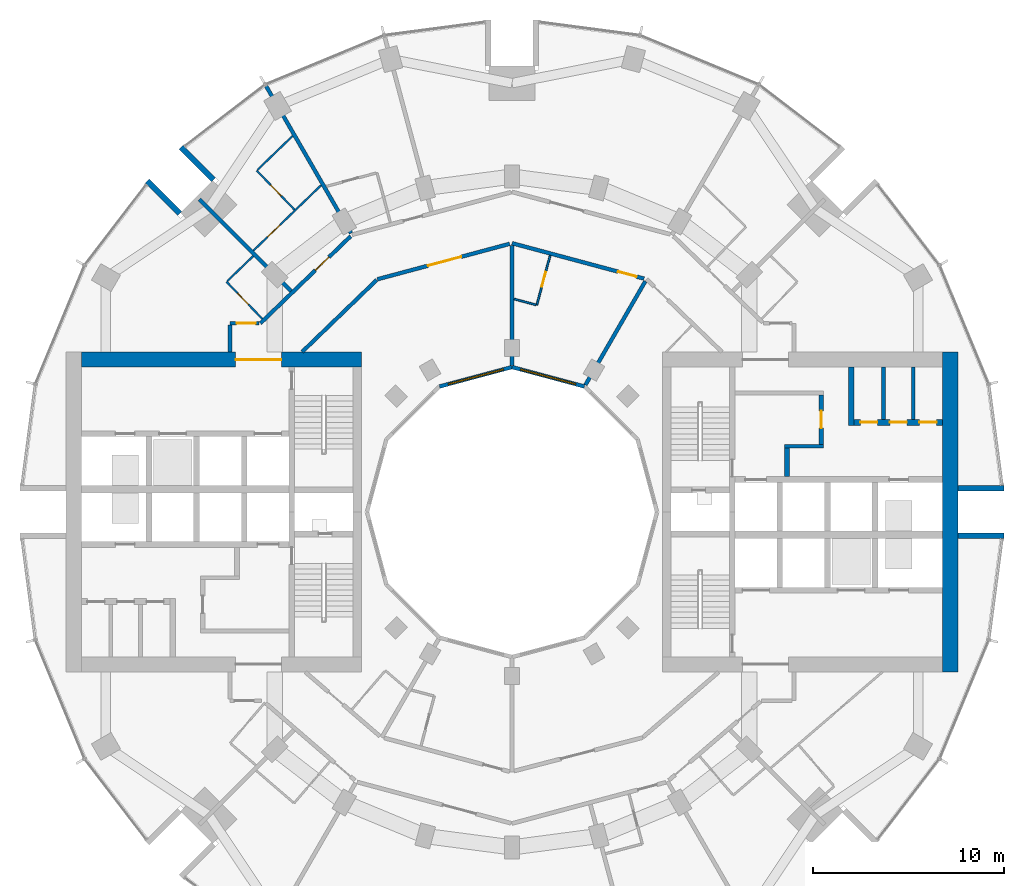
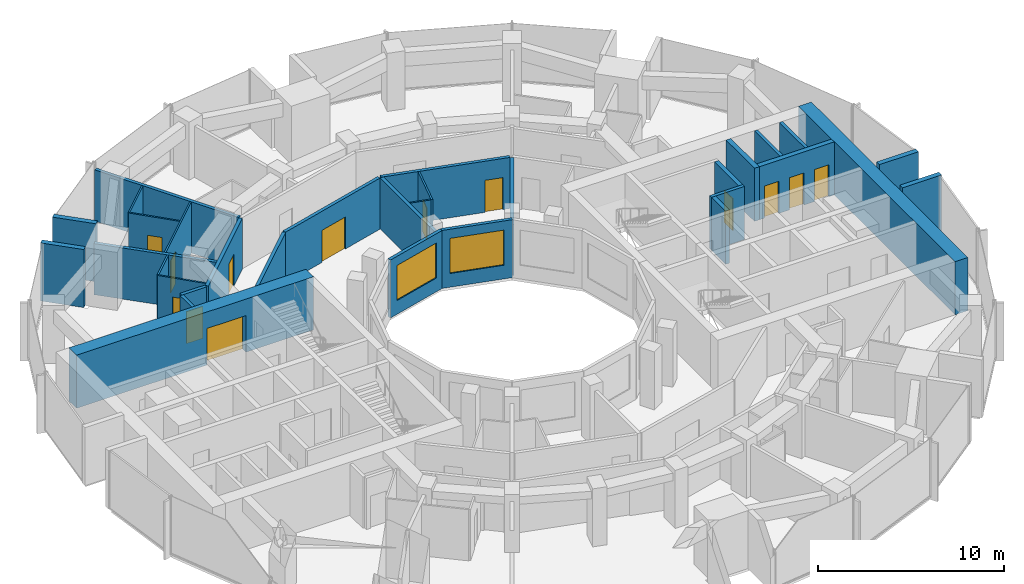
# One storey, part 11 of 15: 32 walls, 13 doors, 2 windows, 15 openings.
"""IFC4 building model written with IfcOpenShell, lengths in metres."""

from ifc_helpers import new_model, si_unit, direction, frame, frame_2d, origin, place, context, subcontext, project, spatial, rectangle, extrude, material, layer, layer_set, type_object, element, fill, save


model = new_model("IFC4")

# Units and contexts
model_context = context("Model", 3, precision=1e-05, world=origin(), true_north=direction((0.0, 1.0)))
body_context = subcontext(model_context, "Body", "Model", "MODEL_VIEW")
ifc_project = project(units=[si_unit("LENGTHUNIT", "METRE"), si_unit("AREAUNIT", "SQUARE_METRE"), si_unit("VOLUMEUNIT", "CUBIC_METRE"), si_unit("PLANEANGLEUNIT", "RADIAN"), si_unit("MASSUNIT", "GRAM", prefix="KILO")], contexts=[model_context])

# Site, building, storey
site_placement = place(None, origin())
site = spatial("IfcSite", under=ifc_project, at=site_placement, CompositionType="ELEMENT")
building_placement = place(site_placement, origin())
building = spatial("IfcBuilding", under=site, at=building_placement, Name="Torre Brocal", CompositionType="ELEMENT")
storey_placement = place(building_placement, frame((0.0, 0.0, 101.39990234375)))
storey = spatial("IfcBuildingStorey", under=building, at=storey_placement, Name="L23", CompositionType="ELEMENT", Elevation=101.39990234375)

# Walls
ifc_material_1 = material(Name="Masonry block", Category="masonry")
ifc_layer_1 = layer(ifc_material_1, 0.199951171875)
ifc_layer_set_1 = layer_set([ifc_layer_1], Name="Masonry block")
wall_type_1 = type_object("IfcWallType", Name="CORE PARTITION 200", PredefinedType="PARTITIONING", material=ifc_layer_set_1)
for number, where, z_axis, x_axis, name in (
    (1, (99.5, 79.85009765625, 0.0), (0.0, 0.0, 1.0), (0.0, 1.0, 0.0), "Wall CP200"),
    (2, (101.050048828125, 79.85009765625, 0.0), (0.0, 0.0, 1.0), (0.0, 1.0, 0.0), "Wall CP200"),
):
    element("IfcWall", number, at=place(storey_placement, frame(where, z_axis=z_axis, x_axis=x_axis)), inside=storey, type_object=wall_type_1, Name=name, PredefinedType="PARTITIONING", context=body_context, shape_type="SweptSolid", body=[
        extrude(rectangle(XDim=2.75, YDim=0.199951171875, at=frame_2d((1.375, 0.0))), origin(), (0.0, 0.0, 1.0), 3.47998046875),
    ])
ifc_material_2 = material(Name="Concrete C80", Category="concrete")
ifc_layer_2 = layer(ifc_material_2, 0.199951171875)
ifc_layer_set_2 = layer_set([ifc_layer_2], Name="Concrete C80")
wall_type_2 = type_object("IfcWallType", Name="CORE WALL 200 C80", PredefinedType="SHEAR", material=ifc_layer_set_2)
wall_1_placement = place(storey_placement, frame((94.300048828125, 78.449951171875, 0.0), z_axis=(0.0, 0.0, 1.0), x_axis=(1.0, 0.0, 0.0)))
element("IfcWall", 3, at=wall_1_placement, inside=storey, type_object=wall_type_2, Name="Wall CW200-80", PredefinedType="SHEAR", context=body_context, shape_type="SweptSolid", body=[
    extrude(rectangle(XDim=2.050048828125, YDim=0.199951171875, at=frame_2d((1.02490234375, 0.0))), origin(), (0.0, 0.0, 1.0), 3.47998046875),
])

# Wall, opening, door
ifc_material_3 = material(Name="Concrete C80", Category="concrete")
ifc_layer_3 = layer(ifc_material_3, 0.25)
ifc_layer_set_3 = layer_set([ifc_layer_3], Name="Concrete C80")
wall_type_3 = type_object("IfcWallType", Name="CORE WALL 250 C80", PredefinedType="SHEAR", material=ifc_layer_set_3)
wall_2_placement = place(storey_placement, frame((96.22509765625, 78.550048828125, 0.0), z_axis=(0.0, 0.0, 1.0), x_axis=(0.0, 1.0, 0.0)))
wall_2 = element("IfcWall", 4, at=wall_2_placement, inside=storey, type_object=wall_type_3, Name="Wall CW250-80", PredefinedType="SHEAR", context=body_context, shape_type="SweptSolid", body=[
    extrude(rectangle(XDim=2.599853515625, YDim=0.25, at=frame_2d((1.2998046875, 0.0))), origin(), (0.0, 0.0, 1.0), 3.47998046875),
])
opening_1_placement = place(wall_2_placement, frame((0.85009765625, 0.0, 0.0)))
opening_1 = element("IfcOpeningElement", 5, at=opening_1_placement, cuts=wall_2, Name="Opening E-D15", PredefinedType="OPENING", context=body_context, shape_type="SweptSolid", body=[
    extrude(rectangle(XDim=0.89990234375, YDim=2.10009765625, at=frame_2d((0.449951171875, 1.050048828125))), frame((0.0, 0.135009765625, 0.0), z_axis=(0.0, -1.0, 0.0), x_axis=(1.0, 0.0, 0.0)), (0.0, 0.0, 1.0), 0.27001953125),
])
ifc_material_4 = material(Name="Steel A653", Category="steel")
door_type_1 = type_object("IfcDoorType", Name="LOBBY DOOR FD120 900X2100", OperationType="SINGLE_SWING_RIGHT", PredefinedType="DOOR", material=ifc_material_4)
door_1_placement = place(opening_1_placement, origin())
door_1 = element("IfcDoor", 6, at=door_1_placement, inside=storey, type_object=door_type_1, Name="Door E-D15", OperationType="SINGLE_SWING_LEFT", OverallHeight=2.10009765625, OverallWidth=0.89990234375, PredefinedType="DOOR", context=body_context, shape_type="SweptSolid", body=[
    extrude(rectangle(XDim=0.89990234375, YDim=2.10009765625, at=frame_2d((0.449951171875, 1.050048828125))), frame((0.0, 0.02490234375, 0.0), z_axis=(0.0, -1.0, 0.0), x_axis=(1.0, 0.0, 0.0)), (0.0, 0.0, 1.0), 0.050048828125),
])
fill(opening_1, door_1)

# Walls
wall_3_placement = place(storey_placement, frame((94.425048828125, 76.85009765625, 0.0), z_axis=(0.0, 0.0, 1.0), x_axis=(0.0, 1.0, 0.0)))
element("IfcWall", 7, at=wall_3_placement, inside=storey, type_object=wall_type_3, Name="Wall CW250-80", PredefinedType="SHEAR", context=body_context, shape_type="SweptSolid", body=[
    extrude(rectangle(XDim=1.5, YDim=0.25, at=frame_2d((0.75, 0.0))), origin(), (0.0, 0.0, 1.0), 3.47998046875),
])
ifc_material_5 = material(Name="Concrete C80", Category="concrete")
ifc_layer_4 = layer(ifc_material_5, 0.300048828125)
ifc_layer_set_4 = layer_set([ifc_layer_4], Name="Concrete C80")
wall_type_4 = type_object("IfcWallType", Name="CORE WALL 300 C80", PredefinedType="SHEAR", material=ifc_layer_set_4)
wall_4_placement = place(storey_placement, frame((97.800048828125, 79.550048828125, 0.0), z_axis=(0.0, 0.0, 1.0), x_axis=(0.0, 1.0, 0.0)))
element("IfcWall", 8, at=wall_4_placement, inside=storey, type_object=wall_type_4, Name="Wall CW300-80", PredefinedType="SHEAR", context=body_context, shape_type="SweptSolid", body=[
    extrude(rectangle(XDim=3.050048828125, YDim=0.300048828125, at=frame_2d((1.52490234375, 0.0))), origin(), (0.0, 0.0, 1.0), 3.47998046875),
])

# Wall, openings, doors
wall_5_placement = place(storey_placement, frame((97.949951171875, 79.699951171875, 0.0), z_axis=(0.0, 0.0, 1.0), x_axis=(1.0, 0.0, 0.0)))
wall_5 = element("IfcWall", 9, at=wall_5_placement, inside=storey, type_object=wall_type_4, Name="Wall CW300-80", PredefinedType="SHEAR", context=body_context, shape_type="SweptSolid", body=[
    extrude(rectangle(XDim=4.650146484375, YDim=0.300048828125, at=frame_2d((2.3251953125, 0.0))), origin(), (0.0, 0.0, 1.0), 3.47998046875),
])
opening_2_placement = place(wall_5_placement, frame((0.324951171875, 0.0, 0.0)))
opening_2 = element("IfcOpeningElement", 10, at=opening_2_placement, cuts=wall_5, Name="Opening E-D05", PredefinedType="OPENING", context=body_context, shape_type="SweptSolid", body=[
    extrude(rectangle(XDim=0.89990234375, YDim=2.10009765625, at=frame_2d((0.449951171875, 1.050048828125))), frame((0.0, 0.159912109375, 0.0), z_axis=(0.0, -1.0, 0.0), x_axis=(1.0, 0.0, 0.0)), (0.0, 0.0, 1.0), 0.320068359375),
])
opening_3_placement = place(wall_5_placement, frame((1.875, 0.0, 0.0)))
opening_3 = element("IfcOpeningElement", 11, at=opening_3_placement, cuts=wall_5, Name="Opening E-D06", PredefinedType="OPENING", context=body_context, shape_type="SweptSolid", body=[
    extrude(rectangle(XDim=0.89990234375, YDim=2.10009765625, at=frame_2d((0.449951171875, 1.050048828125))), frame((0.0, 0.159912109375, 0.0), z_axis=(0.0, -1.0, 0.0), x_axis=(1.0, 0.0, 0.0)), (0.0, 0.0, 1.0), 0.320068359375),
])
opening_4_placement = place(wall_5_placement, frame((3.425048828125, 0.0, 0.0)))
opening_4 = element("IfcOpeningElement", 12, at=opening_4_placement, cuts=wall_5, Name="Opening E-D07", PredefinedType="OPENING", context=body_context, shape_type="SweptSolid", body=[
    extrude(rectangle(XDim=0.89990234375, YDim=2.10009765625, at=frame_2d((0.449951171875, 1.050048828125))), frame((0.0, 0.159912109375, 0.0), z_axis=(0.0, -1.0, 0.0), x_axis=(1.0, 0.0, 0.0)), (0.0, 0.0, 1.0), 0.320068359375),
])
ifc_material_6 = material(Name="Steel A653", Category="steel")
door_type_2 = type_object("IfcDoorType", Name="ROOM DOOR FD30S 900X2100", OperationType="SINGLE_SWING_LEFT", PredefinedType="DOOR", material=ifc_material_6)
door_2_placement = place(opening_2_placement, origin())
door_2 = element("IfcDoor", 13, at=door_2_placement, inside=storey, type_object=door_type_2, Name="Door E-D05", OperationType="SINGLE_SWING_RIGHT", OverallHeight=2.10009765625, OverallWidth=0.89990234375, PredefinedType="DOOR", context=body_context, shape_type="SweptSolid", body=[
    extrude(rectangle(XDim=0.89990234375, YDim=2.10009765625, at=frame_2d((0.449951171875, 1.050048828125))), frame((0.0, 0.02490234375, 0.0), z_axis=(0.0, -1.0, 0.0), x_axis=(1.0, 0.0, 0.0)), (0.0, 0.0, 1.0), 0.050048828125),
])
fill(opening_2, door_2)
door_3_placement = place(opening_3_placement, origin())
door_3 = element("IfcDoor", 14, at=door_3_placement, inside=storey, type_object=door_type_2, Name="Door E-D06", OperationType="SINGLE_SWING_RIGHT", OverallHeight=2.10009765625, OverallWidth=0.89990234375, PredefinedType="DOOR", context=body_context, shape_type="SweptSolid", body=[
    extrude(rectangle(XDim=0.89990234375, YDim=2.10009765625, at=frame_2d((0.449951171875, 1.050048828125))), frame((0.0, 0.02490234375, 0.0), z_axis=(0.0, -1.0, 0.0), x_axis=(1.0, 0.0, 0.0)), (0.0, 0.0, 1.0), 0.050048828125),
])
fill(opening_3, door_3)
door_4_placement = place(opening_4_placement, origin())
door_4 = element("IfcDoor", 15, at=door_4_placement, inside=storey, type_object=door_type_2, Name="Door E-D07", OperationType="SINGLE_SWING_LEFT", OverallHeight=2.10009765625, OverallWidth=0.89990234375, PredefinedType="DOOR", context=body_context, shape_type="SweptSolid", body=[
    extrude(rectangle(XDim=0.89990234375, YDim=2.10009765625, at=frame_2d((0.449951171875, 1.050048828125))), frame((0.0, 0.02490234375, 0.0), z_axis=(0.0, -1.0, 0.0), x_axis=(1.0, 0.0, 0.0)), (0.0, 0.0, 1.0), 0.050048828125),
])
fill(opening_4, door_4)

# Wall
ifc_material_7 = material(Name="Concrete C80", Category="concrete")
ifc_layer_5 = layer(ifc_material_7, 0.800048828125)
ifc_layer_set_5 = layer_set([ifc_layer_5], Name="Concrete C80")
wall_type_5 = type_object("IfcWallType", Name="CORE WALL 800 C80", PredefinedType="SHEAR", material=ifc_layer_set_5)
wall_6_placement = place(storey_placement, frame((103.0, 66.60009765625, 0.0), z_axis=(0.0, 0.0, 1.0), x_axis=(0.0, 1.0, 0.0)))
element("IfcWall", 16, at=wall_6_placement, inside=storey, type_object=wall_type_5, Name="Wall CW800-80", PredefinedType="SHEAR", context=body_context, shape_type="SweptSolid", body=[
    extrude(rectangle(XDim=16.7998046875, YDim=0.800048828125, at=frame_2d((8.39990234375, 0.0))), origin(), (0.0, 0.0, 1.0), 3.47998046875),
])

# Wall, opening, door
wall_7_placement = place(storey_placement, frame((72.10009765625, 83.0, 0.0), z_axis=(0.0, 0.0, 1.0), x_axis=(-1.0, 0.0, 0.0)))
wall_7 = element("IfcWall", 17, at=wall_7_placement, inside=storey, type_object=wall_type_5, Name="Wall CW800-80", PredefinedType="SHEAR", context=body_context, shape_type="SweptSolid", body=[
    extrude(rectangle(XDim=14.7001953125, YDim=0.800048828125, at=frame_2d((7.35009765625, 0.0))), origin(), (0.0, 0.0, 1.0), 3.47998046875),
])
opening_5_placement = place(wall_7_placement, frame((4.199951171875, 0.0, 0.0)))
opening_5 = element("IfcOpeningElement", 18, at=opening_5_placement, cuts=wall_7, Name="Opening W-D30", PredefinedType="OPENING", context=body_context, shape_type="SweptSolid", body=[
    extrude(rectangle(XDim=2.39990234375, YDim=2.39990234375, at=frame_2d((1.199951171875, 1.199951171875))), frame((0.0, 0.409912109375, 0.0), z_axis=(0.0, -1.0, 0.0), x_axis=(1.0, 0.0, 0.0)), (0.0, 0.0, 1.0), 0.820068359375),
])
ifc_material_8 = material(Name="Steel A653", Category="steel")
door_type_3 = type_object("IfcDoorType", Name="DOUBLE FIRE DOOR FD90 2400X2400", OperationType="DOUBLE_DOOR_SINGLE_SWING", PredefinedType="DOOR", material=ifc_material_8)
door_5_placement = place(opening_5_placement, origin())
door_5 = element("IfcDoor", 19, at=door_5_placement, inside=storey, type_object=door_type_3, Name="Door W-D30", OperationType="DOUBLE_DOOR_SINGLE_SWING", OverallHeight=2.39990234375, OverallWidth=2.39990234375, PredefinedType="DOOR", context=body_context, shape_type="SweptSolid", body=[
    extrude(rectangle(XDim=2.39990234375, YDim=2.39990234375, at=frame_2d((1.199951171875, 1.199951171875))), frame((0.0, 0.02490234375, 0.0), z_axis=(0.0, -1.0, 0.0), x_axis=(1.0, 0.0, 0.0)), (0.0, 0.0, 1.0), 0.050048828125),
])
fill(opening_5, door_5)

# Walls
ifc_material_9 = material(Name="Concrete C80", Category="concrete")
ifc_layer_6 = layer(ifc_material_9, 0.300048828125)
ifc_layer_set_6 = layer_set([ifc_layer_6], Name="Concrete C80")
wall_type_6 = type_object("IfcWallType", Name="NOTCH RETURN WALL 300 C80", PredefinedType="NOTDEFINED", material=ifc_layer_set_6)
for number, where, z_axis, x_axis, name in (
    (20, (103.39990234375, 73.75, 0.0), (0.0, 0.0, 1.0), (1.0, 0.0, 0.0), "NOTCH RETURN WALL"),
    (21, (103.39990234375, 76.25, 0.0), (0.0, 0.0, 1.0), (1.0, 0.0, 0.0), "NOTCH RETURN WALL"),
    (22, (64.337646484375, 92.43017578125, 0.0), (0.0, 0.0, 1.0), (-0.707106781187, 0.707106781187, 0.0), "NOTCH RETURN WALL"),
    (23, (62.56982421875, 90.662353515625, 0.0), (0.0, 0.0, 1.0), (-0.707106781187, 0.707106781187, 0.0), "NOTCH RETURN WALL"),
):
    element("IfcWall", number, at=place(storey_placement, frame(where, z_axis=z_axis, x_axis=x_axis)), inside=storey, type_object=wall_type_6, Name=name, PredefinedType="NOTDEFINED", context=body_context, shape_type="SweptSolid", body=[
        extrude(rectangle(XDim=2.415771484375, YDim=0.300048828125, at=frame_2d((1.2080078125, 0.0))), origin(), (0.0, 0.0, 1.0), 3.800048828125),
    ])
ifc_material_10 = material(Name="Gypsum board", Category="Gypsum")
ifc_layer_7 = layer(ifc_material_10, 0.10009765625)
ifc_layer_set_7 = layer_set([ifc_layer_7], Name="Gypsum board")
wall_type_7 = type_object("IfcWallType", Name="PARTITION 100", PredefinedType="PARTITIONING", material=ifc_layer_set_7)
wall_8_placement = place(storey_placement, frame((65.05810546875, 87.11376953125, 0.0), z_axis=(0.0, 0.0, 1.0), x_axis=(0.719653890619, 0.694332973232, 0.0)))
element("IfcWall", 24, at=wall_8_placement, inside=storey, type_object=wall_type_7, Name="BATHROOM WALL", PredefinedType="PARTITIONING", context=body_context, shape_type="SweptSolid", body=[
    extrude(rectangle(XDim=1.8994140625, YDim=0.10009765625, at=frame_2d((0.94970703125, 0.0))), origin(), (0.0, 0.0, 1.0), 3.35009765625),
])

# Wall, opening, door
wall_9_placement = place(storey_placement, frame((65.02197265625, 87.0791015625, 0.0), z_axis=(0.0, 0.0, 1.0), x_axis=(0.694287838235, -0.719697434815, 0.0)))
wall_9 = element("IfcWall", 25, at=wall_9_placement, inside=storey, type_object=wall_type_7, Name="BATHROOM WALL", PredefinedType="PARTITIONING", context=body_context, shape_type="SweptSolid", body=[
    extrude(rectangle(XDim=2.699951171875, YDim=0.10009765625, at=frame_2d((1.35009765625, 0.0))), origin(), (0.0, 0.0, 1.0), 3.35009765625),
])
opening_6_placement = place(wall_9_placement, frame((0.849853515625, 0.0, 0.0)))
opening_6 = element("IfcOpeningElement", 26, at=opening_6_placement, cuts=wall_9, Name="Opening H06-D12", PredefinedType="OPENING", context=body_context, shape_type="SweptSolid", body=[
    extrude(rectangle(XDim=0.800048828125, YDim=2.10009765625, at=frame_2d((0.39990234375, 1.050048828125))), frame((0.0, 0.06005859375, 0.0), z_axis=(0.0, -1.0, 0.0), x_axis=(1.0, 0.0, 0.0)), (0.0, 0.0, 1.0), 0.1201171875),
])
ifc_material_11 = material(Name="Timber", Category="wood")
door_type_4 = type_object("IfcDoorType", Name="BATHROOM DOOR 800X2100", OperationType="SINGLE_SWING_LEFT", PredefinedType="DOOR", material=ifc_material_11)
door_6_placement = place(opening_6_placement, origin())
door_6 = element("IfcDoor", 27, at=door_6_placement, inside=storey, type_object=door_type_4, Name="H06-D12", OperationType="SINGLE_SWING_LEFT", OverallHeight=2.10009765625, OverallWidth=0.800048828125, PredefinedType="DOOR", context=body_context, shape_type="SweptSolid", body=[
    extrude(rectangle(XDim=0.800048828125, YDim=2.10009765625, at=frame_2d((0.39990234375, 1.050048828125))), frame((0.0, 0.02490234375, 0.0), z_axis=(0.0, -1.0, 0.0), x_axis=(1.0, 0.0, 0.0)), (0.0, 0.0, 1.0), 0.050048828125),
])
fill(opening_6, door_6)

wall_10_placement = place(storey_placement, frame((66.43603515625, 88.720458984375, 0.0), z_axis=(0.0, 0.0, 1.0), x_axis=(0.719585934284, 0.694403400899, 0.0)))
wall_10 = element("IfcWall", 28, at=wall_10_placement, inside=storey, type_object=wall_type_7, Name="BATHROOM WALL", PredefinedType="PARTITIONING", context=body_context, shape_type="SweptSolid", body=[
    extrude(rectangle(XDim=4.925048828125, YDim=0.10009765625, at=frame_2d((2.46240234375, 0.0))), origin(), (0.0, 0.0, 1.0), 3.35009765625),
])
opening_7_placement = place(wall_10_placement, frame((1.0224609375, 0.0, 0.0)))
opening_7 = element("IfcOpeningElement", 29, at=opening_7_placement, cuts=wall_10, Name="Opening H06-D09", PredefinedType="OPENING", context=body_context, shape_type="SweptSolid", body=[
    extrude(rectangle(XDim=0.89990234375, YDim=2.10009765625, at=frame_2d((0.449951171875, 1.050048828125))), frame((0.0, 0.06005859375, 0.0), z_axis=(0.0, -1.0, 0.0), x_axis=(1.0, 0.0, 0.0)), (0.0, 0.0, 1.0), 0.1201171875),
])
ifc_material_12 = material(Name="Timber", Category="wood")
door_type_5 = type_object("IfcDoorType", Name="ROOM DOOR 900X2100", OperationType="SINGLE_SWING_LEFT", PredefinedType="DOOR", material=ifc_material_12)
door_7_placement = place(opening_7_placement, frame((0.89990234375, 0.0, 0.0), z_axis=(0.0, 0.0, 1.0), x_axis=(-1.0, 0.0, 0.0)))
door_7 = element("IfcDoor", 30, at=door_7_placement, inside=storey, type_object=door_type_5, Name="H06-D09", OperationType="SINGLE_SWING_RIGHT", OverallHeight=2.10009765625, OverallWidth=0.89990234375, PredefinedType="DOOR", context=body_context, shape_type="SweptSolid", body=[
    extrude(rectangle(XDim=0.89990234375, YDim=2.10009765625, at=frame_2d((0.449951171875, 1.050048828125))), frame((0.0, 0.02490234375, 0.0), z_axis=(0.0, -1.0, 0.0), x_axis=(1.0, 0.0, 0.0)), (0.0, 0.0, 1.0), 0.050048828125),
])
fill(opening_7, door_7)

# Wall
wall_11_placement = place(storey_placement, frame((66.64208984375, 92.94970703125, 0.0), z_axis=(0.0, 0.0, 1.0), x_axis=(0.719667412702, 0.694318957753, 0.0)))
element("IfcWall", 31, at=wall_11_placement, inside=storey, type_object=wall_type_7, Name="BATHROOM WALL", PredefinedType="PARTITIONING", context=body_context, shape_type="SweptSolid", body=[
    extrude(rectangle(XDim=2.56201171875, YDim=0.10009765625, at=frame_2d((1.281005859375, 0.0))), origin(), (0.0, 0.0, 1.0), 3.35009765625),
])

# Wall, opening, door
wall_12_placement = place(storey_placement, frame((66.60595703125, 92.9150390625, 0.0), z_axis=(0.0, 0.0, 1.0), x_axis=(0.694403413121, -0.71958592249, 0.0)))
wall_12 = element("IfcWall", 32, at=wall_12_placement, inside=storey, type_object=wall_type_7, Name="BATHROOM WALL", PredefinedType="PARTITIONING", context=body_context, shape_type="SweptSolid", body=[
    extrude(rectangle(XDim=2.850341796875, YDim=0.10009765625, at=frame_2d((1.42529296875, 0.0))), origin(), (0.0, 0.0, 1.0), 3.35009765625),
])
opening_8_placement = place(wall_12_placement, frame((1.05029296875, 0.0, 0.0)))
opening_8 = element("IfcOpeningElement", 33, at=opening_8_placement, cuts=wall_12, Name="Opening H06-D10", PredefinedType="OPENING", context=body_context, shape_type="SweptSolid", body=[
    extrude(rectangle(XDim=0.800048828125, YDim=2.10009765625, at=frame_2d((0.39990234375, 1.050048828125))), frame((0.0, 0.06005859375, 0.0), z_axis=(0.0, -1.0, 0.0), x_axis=(1.0, 0.0, 0.0)), (0.0, 0.0, 1.0), 0.1201171875),
])
door_8_placement = place(opening_8_placement, origin())
door_8 = element("IfcDoor", 34, at=door_8_placement, inside=storey, type_object=door_type_4, Name="H06-D10", OperationType="SINGLE_SWING_RIGHT", OverallHeight=2.10009765625, OverallWidth=0.800048828125, PredefinedType="DOOR", context=body_context, shape_type="SweptSolid", body=[
    extrude(rectangle(XDim=0.800048828125, YDim=2.10009765625, at=frame_2d((0.39990234375, 1.050048828125))), frame((0.0, 0.02490234375, 0.0), z_axis=(0.0, -1.0, 0.0), x_axis=(1.0, 0.0, 0.0)), (0.0, 0.0, 1.0), 0.050048828125),
])
fill(opening_8, door_8)

# Wall
wall_13_placement = place(storey_placement, frame((80.106201171875, 86.176513671875, 0.0), z_axis=(0.0, 0.0, 1.0), x_axis=(0.966002973184, -0.258530957139, 0.0)))
element("IfcWall", 35, at=wall_13_placement, inside=storey, type_object=wall_type_7, Name="BATHROOM WALL", PredefinedType="PARTITIONING", context=body_context, shape_type="SweptSolid", body=[
    extrude(rectangle(XDim=1.18994140625, YDim=0.10009765625, at=frame_2d((0.594970703125, 0.0))), origin(), (0.0, 0.0, 1.0), 3.35009765625),
])

# Wall, opening, door
wall_14_placement = place(storey_placement, frame((81.303955078125, 85.85595703125, 0.0), z_axis=(0.0, 0.0, 1.0), x_axis=(0.25867580527, 0.965964195904, 0.0)))
wall_14 = element("IfcWall", 36, at=wall_14_placement, inside=storey, type_object=wall_type_7, Name="BATHROOM WALL", PredefinedType="PARTITIONING", context=body_context, shape_type="SweptSolid", body=[
    extrude(rectangle(XDim=2.69921875, YDim=0.10009765625, at=frame_2d((1.349609375, 0.0))), origin(), (0.0, 0.0, 1.0), 3.35009765625),
])
opening_9_placement = place(wall_14_placement, frame((0.99951171875, 0.0, 0.0)))
opening_9 = element("IfcOpeningElement", 37, at=opening_9_placement, cuts=wall_14, Name="Opening H06-D16", PredefinedType="OPENING", context=body_context, shape_type="SweptSolid", body=[
    extrude(rectangle(XDim=0.800048828125, YDim=2.10009765625, at=frame_2d((0.39990234375, 1.050048828125))), frame((0.0, 0.06005859375, 0.0), z_axis=(0.0, -1.0, 0.0), x_axis=(1.0, 0.0, 0.0)), (0.0, 0.0, 1.0), 0.1201171875),
])
door_9_placement = place(opening_9_placement, origin())
door_9 = element("IfcDoor", 38, at=door_9_placement, inside=storey, type_object=door_type_4, Name="H06-D16", OperationType="SINGLE_SWING_RIGHT", OverallHeight=2.10009765625, OverallWidth=0.800048828125, PredefinedType="DOOR", context=body_context, shape_type="SweptSolid", body=[
    extrude(rectangle(XDim=0.800048828125, YDim=2.10009765625, at=frame_2d((0.39990234375, 1.050048828125))), frame((0.0, 0.02490234375, 0.0), z_axis=(0.0, -1.0, 0.0), x_axis=(1.0, 0.0, 0.0)), (0.0, 0.0, 1.0), 0.050048828125),
])
fill(opening_9, door_9)

# Walls
ifc_material_13 = material(Name="Gypsum board", Category="Gypsum")
ifc_layer_8 = layer(ifc_material_13, 0.199951171875)
ifc_layer_set_8 = layer_set([ifc_layer_8], Name="Gypsum board")
wall_type_8 = type_object("IfcWallType", Name="PARTITION 200 EI60", PredefinedType="PARTITIONING", material=ifc_layer_set_8)
wall_15_placement = place(storey_placement, frame((63.599609375, 91.4091796875, 0.0), z_axis=(0.0, 0.0, 1.0), x_axis=(0.706945318761, -0.707268206752, 0.0)))
element("IfcWall", 39, at=wall_15_placement, inside=storey, type_object=wall_type_8, Name="BATHROOM WALL", PredefinedType="PARTITIONING", context=body_context, shape_type="SweptSolid", body=[
    extrude(rectangle(XDim=6.804931640625, YDim=0.199951171875, at=frame_2d((3.40234375, 0.0))), origin(), (0.0, 0.0, 1.0), 3.35009765625),
])
wall_16_placement = place(storey_placement, frame((65.199951171875, 83.40087890625, 0.0), z_axis=(0.0, 0.0, 1.0), x_axis=(0.0, 1.0, 0.0)))
element("IfcWall", 40, at=wall_16_placement, inside=storey, type_object=wall_type_8, Name="GUESTROOM CORRIDOR WALL", PredefinedType="PARTITIONING", context=body_context, shape_type="SweptSolid", body=[
    extrude(rectangle(XDim=1.399169921875, YDim=0.199951171875, at=frame_2d((0.69970703125, 0.0))), origin(), (0.0, 0.0, 1.0), 3.35009765625),
])

# Wall, opening, door
wall_17_placement = place(storey_placement, frame((65.199951171875, 84.89990234375, 0.0), z_axis=(0.0, 0.0, 1.0), x_axis=(1.0, 0.0, 0.0)))
wall_17 = element("IfcWall", 41, at=wall_17_placement, inside=storey, type_object=wall_type_8, Name="GUESTROOM CORRIDOR WALL", PredefinedType="PARTITIONING", context=body_context, shape_type="SweptSolid", body=[
    extrude(rectangle(XDim=1.5361328125, YDim=0.199951171875, at=frame_2d((0.76806640625, 0.0))), origin(), (0.0, 0.0, 1.0), 3.35009765625),
])
opening_10_placement = place(wall_17_placement, frame((0.346923828125, 0.0, 0.0)))
opening_10 = element("IfcOpeningElement", 42, at=opening_10_placement, cuts=wall_17, Name="Opening H06-D11", PredefinedType="OPENING", context=body_context, shape_type="SweptSolid", body=[
    extrude(rectangle(XDim=1.0, YDim=2.10009765625, at=frame_2d((0.5, 1.050048828125))), frame((0.0, 0.10986328125, 0.0), z_axis=(0.0, -1.0, 0.0), x_axis=(1.0, 0.0, 0.0)), (0.0, 0.0, 1.0), 0.219970703125),
])
ifc_material_14 = material(Name="Timber", Category="wood")
door_type_6 = type_object("IfcDoorType", Name="FLAT ENTRY DOOR FD30S 1000X2100", OperationType="SINGLE_SWING_RIGHT", PredefinedType="DOOR", material=ifc_material_14)
door_10_placement = place(opening_10_placement, origin())
door_10 = element("IfcDoor", 43, at=door_10_placement, inside=storey, type_object=door_type_6, Name="H06-D11", OperationType="SINGLE_SWING_LEFT", OverallHeight=2.10009765625, OverallWidth=1.0, PredefinedType="DOOR", context=body_context, shape_type="SweptSolid", body=[
    extrude(rectangle(XDim=1.0, YDim=2.10009765625, at=frame_2d((0.5, 1.050048828125))), frame((0.0, 0.02490234375, 0.0), z_axis=(0.0, -1.0, 0.0), x_axis=(1.0, 0.0, 0.0)), (0.0, 0.0, 1.0), 0.050048828125),
])
fill(opening_10, door_10)

wall_18_placement = place(storey_placement, frame((66.796142578125, 84.89990234375, 0.0), z_axis=(0.0, 0.0, 1.0), x_axis=(0.719690784855, 0.694294731505, 0.0)))
wall_18 = element("IfcWall", 44, at=wall_18_placement, inside=storey, type_object=wall_type_8, Name="FLAT ENTRANCE WALL", PredefinedType="PARTITIONING", context=body_context, shape_type="SweptSolid", body=[
    extrude(rectangle(XDim=6.585205078125, YDim=0.199951171875, at=frame_2d((3.29248046875, 0.0))), origin(), (0.0, 0.0, 1.0), 3.35009765625),
])
opening_11_placement = place(wall_18_placement, frame((4.006103515625, 0.0, 0.0)))
opening_11 = element("IfcOpeningElement", 45, at=opening_11_placement, cuts=wall_18, Name="Opening H06-D08", PredefinedType="OPENING", context=body_context, shape_type="SweptSolid", body=[
    extrude(rectangle(XDim=1.0, YDim=2.10009765625, at=frame_2d((0.5, 1.050048828125))), frame((0.0, 0.10986328125, 0.0), z_axis=(0.0, -1.0, 0.0), x_axis=(1.0, 0.0, 0.0)), (0.0, 0.0, 1.0), 0.219970703125),
])
door_11_placement = place(opening_11_placement, origin())
door_11 = element("IfcDoor", 46, at=door_11_placement, inside=storey, type_object=door_type_6, Name="H06-D08", OperationType="SINGLE_SWING_LEFT", OverallHeight=2.10009765625, OverallWidth=1.0, PredefinedType="DOOR", context=body_context, shape_type="SweptSolid", body=[
    extrude(rectangle(XDim=1.0, YDim=2.10009765625, at=frame_2d((0.5, 1.050048828125))), frame((0.0, 0.02490234375, 0.0), z_axis=(0.0, -1.0, 0.0), x_axis=(1.0, 0.0, 0.0)), (0.0, 0.0, 1.0), 0.050048828125),
])
fill(opening_11, door_11)

# Walls
wall_19_placement = place(storey_placement, frame((67.1015625, 97.341796875, 0.0), z_axis=(0.0, 0.0, 1.0), x_axis=(0.499900389553, -0.866082906265, 0.0)))
element("IfcWall", 47, at=wall_19_placement, inside=storey, type_object=wall_type_8, Name="BATHROOM WALL", PredefinedType="PARTITIONING", context=body_context, shape_type="SweptSolid", body=[
    extrude(rectangle(XDim=8.907958984375, YDim=0.199951171875, at=frame_2d((4.4541015625, 0.0))), origin(), (0.0, 0.0, 1.0), 3.35009765625),
])
wall_20_placement = place(storey_placement, frame((68.9873046875, 83.39990234375, 0.0), z_axis=(0.0, 0.0, 1.0), x_axis=(0.719586298962, 0.694403022997, 0.0)))
element("IfcWall", 48, at=wall_20_placement, inside=storey, type_object=wall_type_8, Name="GUESTROOM CORRIDOR WALL", PredefinedType="PARTITIONING", context=body_context, shape_type="SweptSolid", body=[
    extrude(rectangle(XDim=5.438720703125, YDim=0.199951171875, at=frame_2d((2.71923828125, 0.0))), origin(), (0.0, 0.0, 1.0), 3.35009765625),
])

# Wall, opening, door
wall_21_placement = place(storey_placement, frame((72.93603515625, 87.2109375, 0.0), z_axis=(0.0, 0.0, 1.0), x_axis=(0.965917703859, 0.258849356521, 0.0)))
wall_21 = element("IfcWall", 49, at=wall_21_placement, inside=storey, type_object=wall_type_8, Name="GUESTROOM CORRIDOR WALL", PredefinedType="PARTITIONING", context=body_context, shape_type="SweptSolid", body=[
    extrude(rectangle(XDim=7.182373046875, YDim=0.199951171875, at=frame_2d((3.59130859375, 0.0))), origin(), (0.0, 0.0, 1.0), 3.35009765625),
])
opening_12_placement = place(wall_21_placement, frame((2.756591796875, 0.0, 0.0)))
opening_12 = element("IfcOpeningElement", 50, at=opening_12_placement, cuts=wall_21, Name="Opening H06-D17", PredefinedType="OPENING", context=body_context, shape_type="SweptSolid", body=[
    extrude(rectangle(XDim=1.800048828125, YDim=2.10009765625, at=frame_2d((0.89990234375, 1.050048828125))), frame((0.0, 0.10986328125, 0.0), z_axis=(0.0, -1.0, 0.0), x_axis=(1.0, 0.0, 0.0)), (0.0, 0.0, 1.0), 0.219970703125),
])
ifc_material_15 = material(Name="Timber", Category="wood")
door_type_7 = type_object("IfcDoorType", Name="DOUBLE DOOR 1800X2100", OperationType="DOUBLE_DOOR_SINGLE_SWING", PredefinedType="DOOR", material=ifc_material_15)
door_12_placement = place(opening_12_placement, frame((1.800048828125, 0.0, 0.0), z_axis=(0.0, 0.0, 1.0), x_axis=(-1.0, 0.0, 0.0)))
door_12 = element("IfcDoor", 51, at=door_12_placement, inside=storey, type_object=door_type_7, Name="H06-D17", OperationType="DOUBLE_DOOR_SINGLE_SWING", OverallHeight=2.10009765625, OverallWidth=1.800048828125, PredefinedType="DOOR", context=body_context, shape_type="SweptSolid", body=[
    extrude(rectangle(XDim=1.800048828125, YDim=2.10009765625, at=frame_2d((0.89990234375, 1.050048828125))), frame((0.0, 0.02490234375, 0.0), z_axis=(0.0, -1.0, 0.0), x_axis=(1.0, 0.0, 0.0)), (0.0, 0.0, 1.0), 0.050048828125),
])
fill(opening_12, door_12)

# Wall
wall_22_placement = place(storey_placement, frame((80.0, 82.699951171875, 0.0), z_axis=(0.0, 0.0, 1.0), x_axis=(0.0, 1.0, 0.0)))
element("IfcWall", 52, at=wall_22_placement, inside=storey, type_object=wall_type_8, Name="BATHROOM WALL", PredefinedType="PARTITIONING", context=body_context, shape_type="SweptSolid", body=[
    extrude(rectangle(XDim=6.27294921875, YDim=0.199951171875, at=frame_2d((3.136474609375, 0.0))), origin(), (0.0, 0.0, 1.0), 3.35009765625),
])

# Wall, opening, door
wall_23_placement = place(storey_placement, frame((80.0, 89.10400390625, 0.0), z_axis=(0.0, 0.0, 1.0), x_axis=(0.965856548257, -0.259077455964, 0.0)))
wall_23 = element("IfcWall", 53, at=wall_23_placement, inside=storey, type_object=wall_type_8, Name="GUESTROOM CORRIDOR WALL", PredefinedType="PARTITIONING", context=body_context, shape_type="SweptSolid", body=[
    extrude(rectangle(XDim=7.173095703125, YDim=0.199951171875, at=frame_2d((3.58642578125, 0.0))), origin(), (0.0, 0.0, 1.0), 3.35009765625),
])
opening_13_placement = place(wall_23_placement, frame((5.76318359375, 0.0, 0.0)))
opening_13 = element("IfcOpeningElement", 54, at=opening_13_placement, cuts=wall_23, Name="Opening H06-D15", PredefinedType="OPENING", context=body_context, shape_type="SweptSolid", body=[
    extrude(rectangle(XDim=1.0, YDim=2.10009765625, at=frame_2d((0.5, 1.050048828125))), frame((0.0, 0.10986328125, 0.0), z_axis=(0.0, -1.0, 0.0), x_axis=(1.0, 0.0, 0.0)), (0.0, 0.0, 1.0), 0.219970703125),
])
door_13_placement = place(opening_13_placement, frame((1.0, 0.0, 0.0), z_axis=(0.0, 0.0, 1.0), x_axis=(-1.0, 0.0, 0.0)))
door_13 = element("IfcDoor", 55, at=door_13_placement, inside=storey, type_object=door_type_6, Name="H06-D15", OperationType="SINGLE_SWING_LEFT", OverallHeight=2.10009765625, OverallWidth=1.0, PredefinedType="DOOR", context=body_context, shape_type="SweptSolid", body=[
    extrude(rectangle(XDim=1.0, YDim=2.10009765625, at=frame_2d((0.5, 1.050048828125))), frame((0.0, 0.02490234375, 0.0), z_axis=(0.0, -1.0, 0.0), x_axis=(1.0, 0.0, 0.0)), (0.0, 0.0, 1.0), 0.050048828125),
])
fill(opening_13, door_13)

# Wall
wall_24_placement = place(storey_placement, frame((83.851806640625, 81.665283203125, 0.0), z_axis=(0.0, 0.0, 1.0), x_axis=(0.500236829077, 0.86588862727, 0.0)))
element("IfcWall", 56, at=wall_24_placement, inside=storey, type_object=wall_type_8, Name="PARTY PARTITION", PredefinedType="PARTITIONING", context=body_context, shape_type="SweptSolid", body=[
    extrude(rectangle(XDim=6.28564453125, YDim=0.199951171875, at=frame_2d((3.142822265625, 0.0))), origin(), (0.0, 0.0, 1.0), 3.35009765625),
])

# Wall, opening, window
ifc_material_16 = material(Name="Concrete C40", Category="concrete")
ifc_layer_9 = layer(ifc_material_16, 0.199951171875)
ifc_layer_set_9 = layer_set([ifc_layer_9], Name="Concrete C40")
wall_type_9 = type_object("IfcWallType", Name="WELL FACADE WALL 200", PredefinedType="NOTDEFINED", material=ifc_layer_set_9)
wall_25_placement = place(storey_placement, frame((83.8017578125, 81.5849609375, 0.0), z_axis=(0.0, 0.0, 1.0), x_axis=(-0.965933654434, 0.258789828301, 0.0)))
wall_25 = element("IfcWall", 57, at=wall_25_placement, inside=storey, type_object=wall_type_9, Name="WELL FACADE WALL", PredefinedType="NOTDEFINED", context=body_context, shape_type="SweptSolid", body=[
    extrude(rectangle(XDim=3.935791015625, YDim=0.199951171875, at=frame_2d((1.9677734375, 0.0))), origin(), (0.0, 0.0, 1.0), 3.800048828125),
])
opening_14_placement = place(wall_25_placement, frame((0.468017578125, 0.0, 0.89990234375)))
opening_14 = element("IfcOpeningElement", 58, at=opening_14_placement, cuts=wall_25, Name="Opening W1", PredefinedType="OPENING", context=body_context, shape_type="SweptSolid", body=[
    extrude(rectangle(XDim=3.0, YDim=2.300048828125, at=frame_2d((1.5, 1.14990234375))), frame((0.0, 0.10986328125, 0.0), z_axis=(0.0, -1.0, 0.0), x_axis=(1.0, 0.0, 0.0)), (0.0, 0.0, 1.0), 0.219970703125),
])
ifc_material_17 = material(Name="Aluminium and glass", Category="aluminium")
window_type = type_object("IfcWindowType", Name="WELL WINDOW 3000X2300", PartitioningType="SINGLE_PANEL", PredefinedType="WINDOW", material=ifc_material_17)
window_1_placement = place(opening_14_placement, origin())
window_1 = element("IfcWindow", 59, at=window_1_placement, inside=storey, type_object=window_type, Name="WELL WINDOW 3000X2300", OverallHeight=2.300048828125, OverallWidth=3.0, PartitioningType="SINGLE_PANEL", PredefinedType="WINDOW", context=body_context, shape_type="SweptSolid", body=[
    extrude(rectangle(XDim=3.0, YDim=2.300048828125, at=frame_2d((1.5, 1.14990234375))), frame((0.0, 0.030029296875, 0.0), z_axis=(0.0, -1.0, 0.0), x_axis=(1.0, 0.0, 0.0)), (0.0, 0.0, 1.0), 0.06005859375),
])
fill(opening_14, window_1)

wall_26_placement = place(storey_placement, frame((80.0, 82.603515625, 0.0), z_axis=(0.0, 0.0, 1.0), x_axis=(-0.965933654434, -0.258789828301, 0.0)))
wall_26 = element("IfcWall", 60, at=wall_26_placement, inside=storey, type_object=wall_type_9, Name="WELL FACADE WALL", PredefinedType="NOTDEFINED", context=body_context, shape_type="SweptSolid", body=[
    extrude(rectangle(XDim=3.935791015625, YDim=0.199951171875, at=frame_2d((1.9677734375, 0.0))), origin(), (0.0, 0.0, 1.0), 3.800048828125),
])
opening_15_placement = place(wall_26_placement, frame((0.468017578125, 0.0, 0.89990234375)))
opening_15 = element("IfcOpeningElement", 61, at=opening_15_placement, cuts=wall_26, Name="Opening W1", PredefinedType="OPENING", context=body_context, shape_type="SweptSolid", body=[
    extrude(rectangle(XDim=3.0, YDim=2.300048828125, at=frame_2d((1.5, 1.14990234375))), frame((0.0, 0.10986328125, 0.0), z_axis=(0.0, -1.0, 0.0), x_axis=(1.0, 0.0, 0.0)), (0.0, 0.0, 1.0), 0.219970703125),
])
window_2_placement = place(opening_15_placement, origin())
window_2 = element("IfcWindow", 62, at=window_2_placement, inside=storey, type_object=window_type, Name="WELL WINDOW 3000X2300", OverallHeight=2.300048828125, OverallWidth=3.0, PartitioningType="SINGLE_PANEL", PredefinedType="WINDOW", context=body_context, shape_type="SweptSolid", body=[
    extrude(rectangle(XDim=3.0, YDim=2.300048828125, at=frame_2d((1.5, 1.14990234375))), frame((0.0, 0.030029296875, 0.0), z_axis=(0.0, -1.0, 0.0), x_axis=(1.0, 0.0, 0.0)), (0.0, 0.0, 1.0), 0.06005859375),
])
fill(opening_15, window_2)

save(model, "model.ifc")
